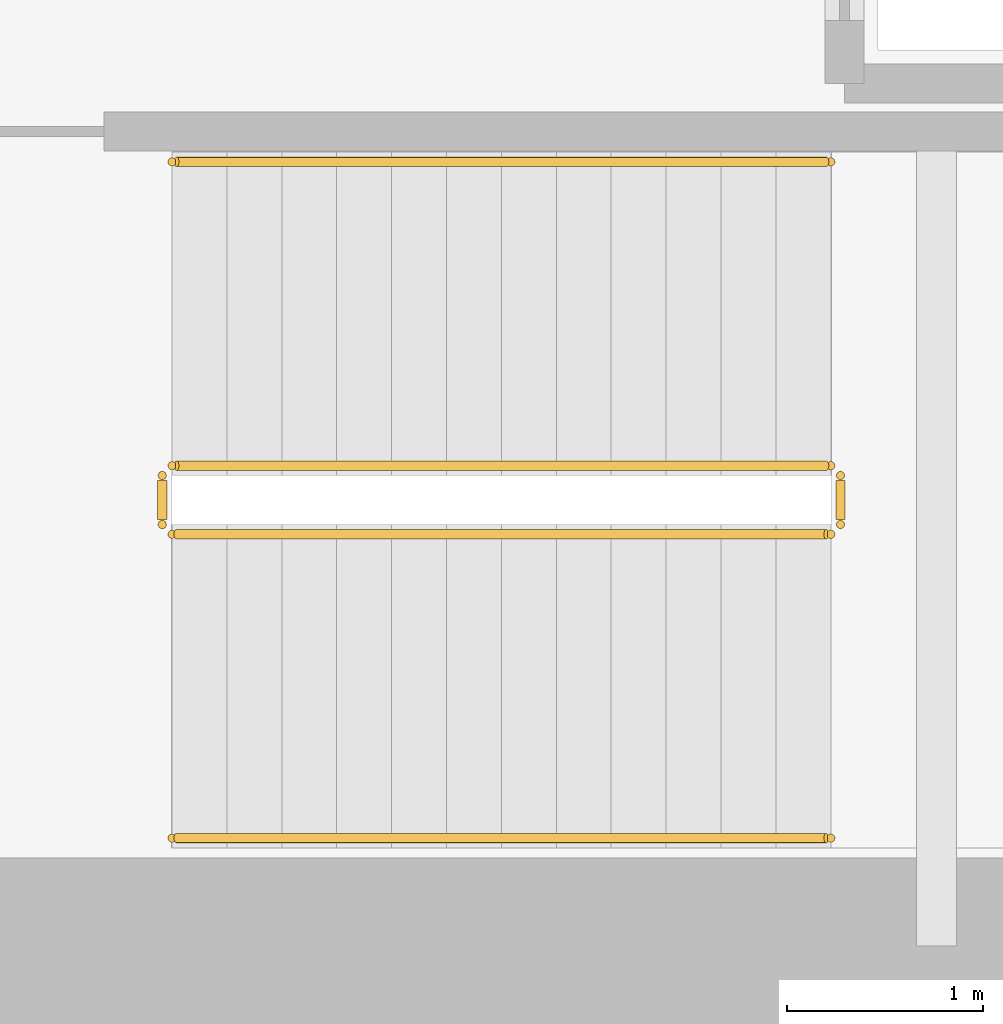
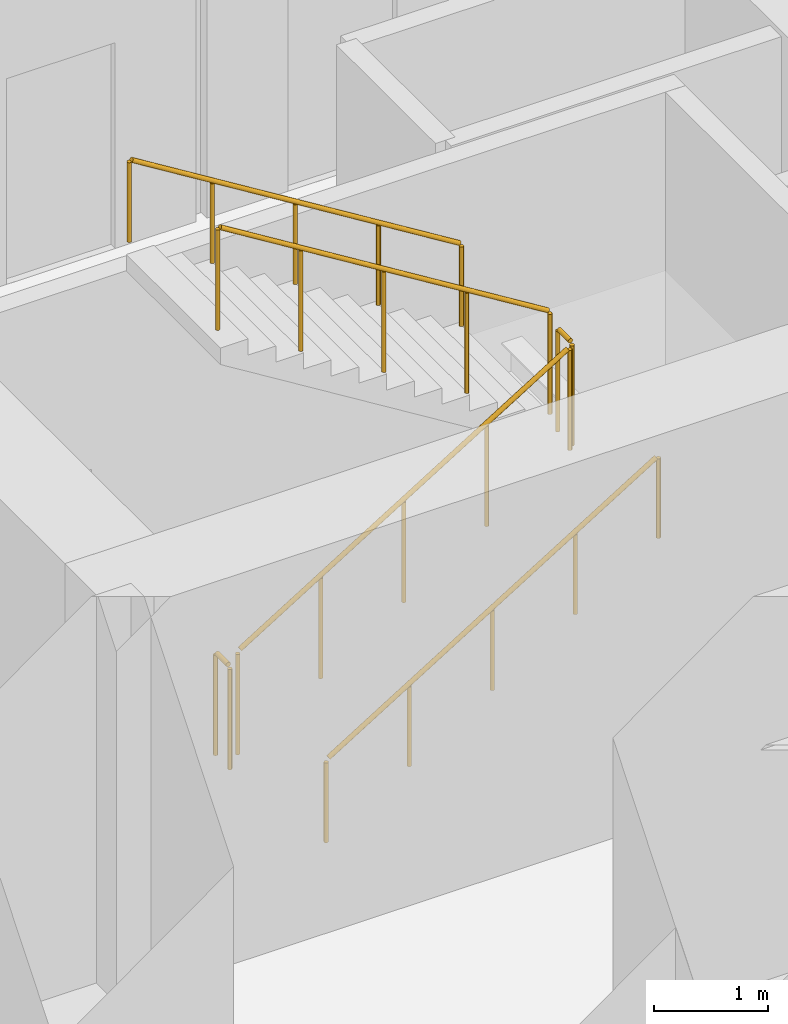
# One storey, part 10 of 11: 6 railings.
"""IFC4 building model written with IfcOpenShell, lengths in metres."""

from ifc_helpers import new_model, si_unit, direction, frame, origin, origin_2d, place, context, subcontext, project, spatial, circle, extrude, source, transform, mapped, material, layer, layer_set, type_object, element, save


model = new_model("IFC4")

# Units and contexts
model_context = context("Model", 3, precision=1e-05, world=origin(), true_north=direction((0.0, 1.0)))
body_context = subcontext(model_context, "Body", "Model", "MODEL_VIEW")
ifc_project = project(units=[si_unit("LENGTHUNIT", "METRE"), si_unit("AREAUNIT", "SQUARE_METRE"), si_unit("VOLUMEUNIT", "CUBIC_METRE"), si_unit("PLANEANGLEUNIT", "RADIAN"), si_unit("MASSUNIT", "GRAM", prefix="KILO")], contexts=[model_context])

# Site, building, storey
site_placement = place(None, origin())
site = spatial("IfcSite", under=ifc_project, at=site_placement, CompositionType="ELEMENT")
building_placement = place(site_placement, origin())
building = spatial("IfcBuilding", under=site, at=building_placement, Name="Kharzan Plaza Tower", CompositionType="ELEMENT")
storey_placement = place(building_placement, frame((0.0, 0.0, 13.5)))
storey = spatial("IfcBuildingStorey", under=building, at=storey_placement, Name="L03", CompositionType="ELEMENT", Elevation=13.5)

# Railings
ifc_material_1 = material(Name="Painted Galvanized Architectural Steel", Category="steel")
ifc_layer_1 = layer(ifc_material_1, 0.074951171875)
ifc_layer_set_1 = layer_set([ifc_layer_1], Name="Painted Galvanized Architectural Steel")
railing_type_1 = type_object("IfcRailingType", Name="RL-GUARD-1120", PredefinedType="BALUSTRADE", material=ifc_layer_set_1)
shared_shape_1 = source(origin(), body_context, "Body", "SweptSolid", [
    extrude(circle(Radius=0.02392578125, at=origin_2d()), frame((0.0224609375, 0.0, 1.10986328125), z_axis=(0.850623216509, 0.0, 0.525775754039), x_axis=(0.0, 1.0, 0.0)), (0.0, 0.0, 1.0), 3.897216796875),
    extrude(circle(Radius=0.02099609375, at=origin_2d()), origin(), (0.0, 0.0, 1.0), 1.072021484375),
    extrude(circle(Radius=0.02099609375, at=origin_2d()), frame((0.840087890625, 0.0, 0.519287109375)), (0.0, 0.0, 1.0), 1.072021484375),
    extrude(circle(Radius=0.02099609375, at=origin_2d()), frame((1.68017578125, 0.0, 1.03857421875)), (0.0, 0.0, 1.0), 1.072021484375),
    extrude(circle(Radius=0.02099609375, at=origin_2d()), frame((2.52001953125, 0.0, 1.5576171875)), (0.0, 0.0, 1.0), 1.072021484375),
    extrude(circle(Radius=0.02099609375, at=origin_2d()), frame((3.360107421875, 0.0, 2.076904296875)), (0.0, 0.0, 1.0), 1.072021484375),
])
railing_1_placement = place(storey_placement, frame((38.25, 6.60009765625, 0.173095703125)))
element("IfcRailing", 1, at=railing_1_placement, inside=storey, type_object=railing_type_1, Name="L03 ST-3 stair guard 1", PredefinedType="BALUSTRADE", context=body_context, shape_type="MappedRepresentation", body=[
    mapped(shared_shape_1, transform((0.0, 0.0, 0.0), x_axis=(1.0, 0.0, 0.0), y_axis=(0.0, 1.0, 0.0), z_axis=(0.0, 0.0, 1.0))),
])
shared_shape_2 = source(origin(), body_context, "Body", "SweptSolid", [
    extrude(circle(Radius=0.02392578125, at=origin_2d()), frame((0.0, 0.0263671875, 1.09619140625), z_axis=(0.0, 1.0, 0.0), x_axis=(-1.0, 0.0, 0.0)), (0.0, 0.0, 1.0), 0.197021484375),
    extrude(circle(Radius=0.02099609375, at=origin_2d()), origin(), (0.0, 0.0, 1.0), 1.072021484375),
    extrude(circle(Radius=0.02099609375, at=origin_2d()), frame((0.0, 0.25, 0.0)), (0.0, 0.0, 1.0), 1.072021484375),
])
for number, where, name in (
    (2, (41.659912109375, 6.64990234375, 2.25), "L03 ST-3 stair guard 2"),
    (3, (38.199951171875, 6.64990234375, 0.0), "L03 ST-3 stair guard 4"),
):
    element("IfcRailing", number, at=place(storey_placement, frame(where)), inside=storey, type_object=railing_type_1, Name=name, PredefinedType="BALUSTRADE", context=body_context, shape_type="MappedRepresentation", body=[
        mapped(shared_shape_2, transform((0.0, 0.0, 0.0), x_axis=(1.0, 0.0, 0.0), y_axis=(0.0, 1.0, 0.0), z_axis=(0.0, 0.0, 1.0))),
    ])
shared_shape_3 = source(origin(), body_context, "Body", "SweptSolid", [
    extrude(circle(Radius=0.02392578125, at=origin_2d()), frame((-0.0224609375, 0.0, 1.10986328125), z_axis=(-0.850623216509, 0.0, 0.525775754039), x_axis=(0.0, -1.0, 0.0)), (0.0, 0.0, 1.0), 3.897216796875),
    extrude(circle(Radius=0.02099609375, at=origin_2d()), origin(), (0.0, 0.0, 1.0), 1.072021484375),
    extrude(circle(Radius=0.02099609375, at=origin_2d()), frame((-0.840087890625, 0.0, 0.519287109375)), (0.0, 0.0, 1.0), 1.072021484375),
    extrude(circle(Radius=0.02099609375, at=origin_2d()), frame((-1.68017578125, 0.0, 1.03857421875)), (0.0, 0.0, 1.0), 1.072021484375),
    extrude(circle(Radius=0.02099609375, at=origin_2d()), frame((-2.52001953125, 0.0, 1.5576171875)), (0.0, 0.0, 1.0), 1.072021484375),
    extrude(circle(Radius=0.02099609375, at=origin_2d()), frame((-3.360107421875, 0.0, 2.076904296875)), (0.0, 0.0, 1.0), 1.072021484375),
])
railing_2_placement = place(storey_placement, frame((41.610107421875, 6.949951171875, 2.423095703125)))
element("IfcRailing", 4, at=railing_2_placement, inside=storey, type_object=railing_type_1, Name="L03 ST-3 stair guard 3", PredefinedType="BALUSTRADE", context=body_context, shape_type="MappedRepresentation", body=[
    mapped(shared_shape_3, transform((0.0, 0.0, 0.0), x_axis=(1.0, 0.0, 0.0), y_axis=(0.0, 1.0, 0.0), z_axis=(0.0, 0.0, 1.0))),
])
ifc_material_2 = material(Name="Brushed Stainless Steel", Category="steel")
ifc_layer_2 = layer(ifc_material_2, 0.050048828125)
ifc_layer_set_2 = layer_set([ifc_layer_2], Name="Brushed Stainless Steel")
railing_type_2 = type_object("IfcRailingType", Name="RL-STAIR-HR920", PredefinedType="HANDRAIL", material=ifc_layer_set_2)
shared_shape_4 = source(origin(), body_context, "Body", "SweptSolid", [
    extrude(circle(Radius=0.02392578125, at=origin_2d()), frame((0.0224609375, 0.0, 0.8896484375), z_axis=(0.850623216509, 0.0, 0.525775754039), x_axis=(0.0, 1.0, 0.0)), (0.0, 0.0, 1.0), 3.897216796875),
    extrude(circle(Radius=0.02099609375, at=origin_2d()), origin(), (0.0, 0.0, 1.0), 0.851806640625),
    extrude(circle(Radius=0.02099609375, at=origin_2d()), frame((0.840087890625, 0.0, 0.519287109375)), (0.0, 0.0, 1.0), 0.851806640625),
    extrude(circle(Radius=0.02099609375, at=origin_2d()), frame((1.68017578125, 0.0, 1.03857421875)), (0.0, 0.0, 1.0), 0.851806640625),
    extrude(circle(Radius=0.02099609375, at=origin_2d()), frame((2.52001953125, 0.0, 1.5576171875)), (0.0, 0.0, 1.0), 0.851806640625),
    extrude(circle(Radius=0.02099609375, at=origin_2d()), frame((3.360107421875, 0.0, 2.076904296875)), (0.0, 0.0, 1.0), 0.851806640625),
])
railing_3_placement = place(storey_placement, frame((38.25, 5.050048828125, 0.173095703125)))
element("IfcRailing", 5, at=railing_3_placement, inside=storey, type_object=railing_type_2, Name="L03 ST-3 stair handrail 1", PredefinedType="HANDRAIL", context=body_context, shape_type="MappedRepresentation", body=[
    mapped(shared_shape_4, transform((0.0, 0.0, 0.0), x_axis=(1.0, 0.0, 0.0), y_axis=(0.0, 1.0, 0.0), z_axis=(0.0, 0.0, 1.0))),
])
shared_shape_5 = source(origin(), body_context, "Body", "SweptSolid", [
    extrude(circle(Radius=0.02392578125, at=origin_2d()), frame((-0.0224609375, 0.0, 0.8896484375), z_axis=(-0.850623216509, 0.0, 0.525775754039), x_axis=(0.0, -1.0, 0.0)), (0.0, 0.0, 1.0), 3.897216796875),
    extrude(circle(Radius=0.02099609375, at=origin_2d()), origin(), (0.0, 0.0, 1.0), 0.851806640625),
    extrude(circle(Radius=0.02099609375, at=origin_2d()), frame((-0.840087890625, 0.0, 0.519287109375)), (0.0, 0.0, 1.0), 0.851806640625),
    extrude(circle(Radius=0.02099609375, at=origin_2d()), frame((-1.68017578125, 0.0, 1.03857421875)), (0.0, 0.0, 1.0), 0.851806640625),
    extrude(circle(Radius=0.02099609375, at=origin_2d()), frame((-2.52001953125, 0.0, 1.5576171875)), (0.0, 0.0, 1.0), 0.851806640625),
    extrude(circle(Radius=0.02099609375, at=origin_2d()), frame((-3.360107421875, 0.0, 2.076904296875)), (0.0, 0.0, 1.0), 0.851806640625),
])
railing_4_placement = place(storey_placement, frame((41.610107421875, 8.5, 2.423095703125)))
element("IfcRailing", 6, at=railing_4_placement, inside=storey, type_object=railing_type_2, Name="L03 ST-3 stair handrail 2", PredefinedType="HANDRAIL", context=body_context, shape_type="MappedRepresentation", body=[
    mapped(shared_shape_5, transform((0.0, 0.0, 0.0), x_axis=(1.0, 0.0, 0.0), y_axis=(0.0, 1.0, 0.0), z_axis=(0.0, 0.0, 1.0))),
])

save(model, "model.ifc")
